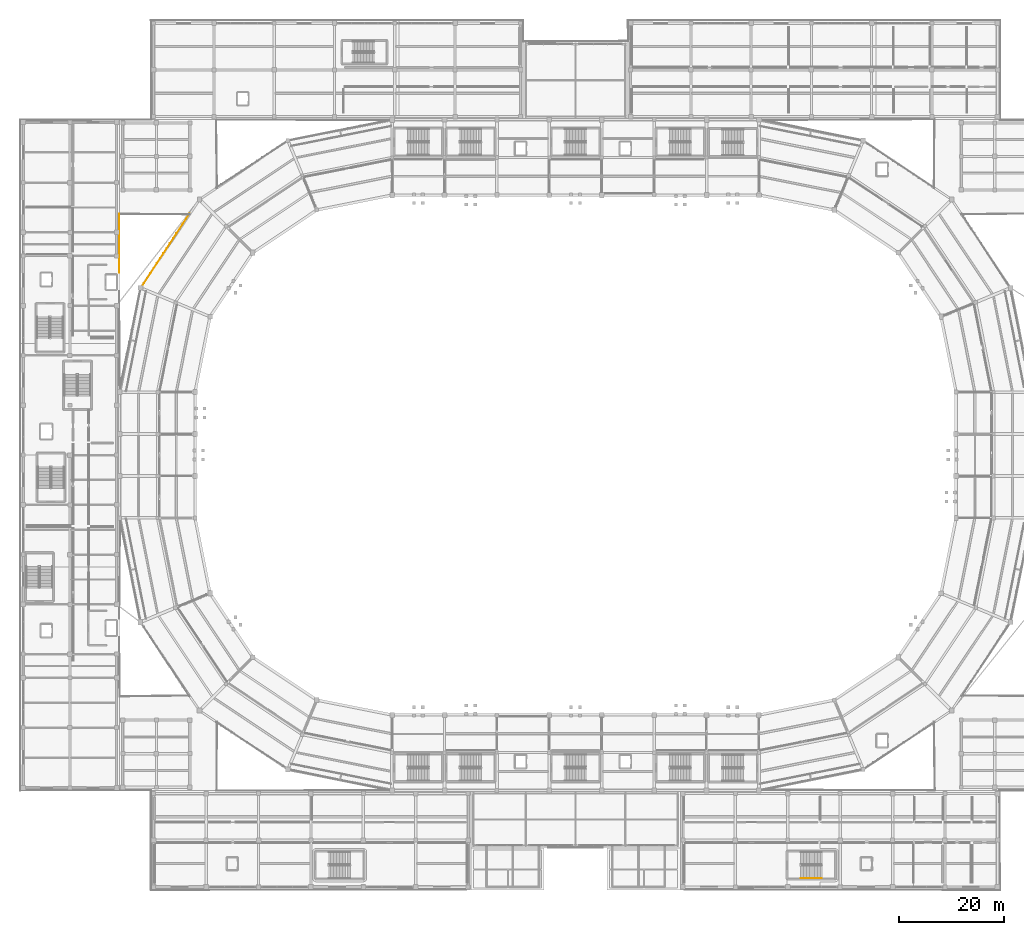
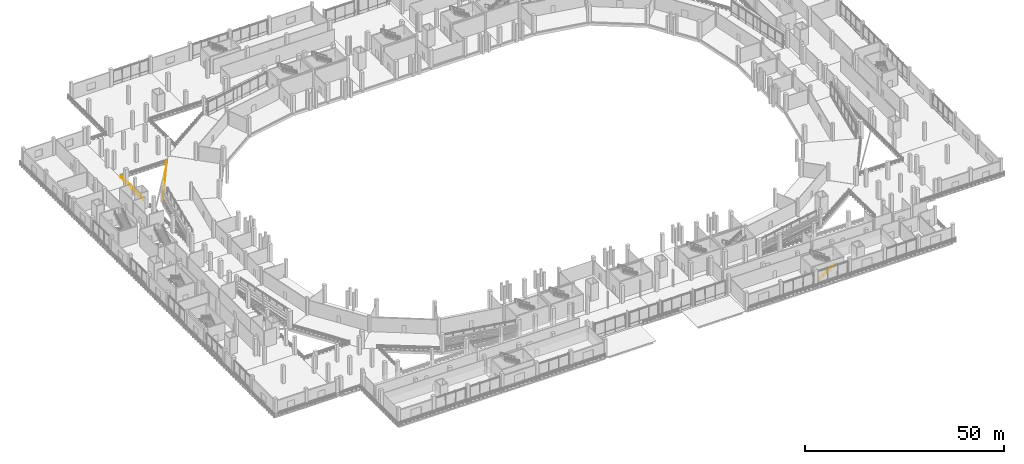
# One storey, part 100 of 114: 3 railings.
"""IFC4 building model written with IfcOpenShell, lengths in metres."""

import ifcopenshell
import ifcopenshell.guid

model = None  # the IFC model being written
_history = None  # IfcOwnerHistory: only IFC2X3 demands one
_inside = {}  # id of a spatial element -> (the spatial element, [elements in it])
_under = {}  # id of a project, library or spatial element -> (it, [spatial elements below it])
_declared = {}  # id of a project -> (the project, [libraries it declares])
_typed = {}  # id of a type object -> (the type object, [elements of that type])
_made_of = {}  # id of a material, layer set ... -> (it, [elements and type objects made of it])


def new_model(schema):
    """Start an empty IFC model of exactly this schema.

    Asked for "IFC4X3", IfcOpenShell would pick the latest addendum, in which some entities
    have other attributes; the version numbers below select the first issue.
    IFC2X3 requires an IfcOwnerHistory on every rooted entity: one is made here for all.
    """
    global model, _history
    if schema == "IFC4X3":
        model = ifcopenshell.file(schema_version=(4, 3, 0, 0))
    else:
        model = ifcopenshell.file(schema=schema)
    _inside.clear()
    _under.clear()
    _declared.clear()
    _typed.clear()
    _made_of.clear()
    _history = None
    if model.schema == "IFC2X3":
        org = make("IfcOrganization", Name="unknown")
        user = make(
            "IfcPersonAndOrganization",
            ThePerson=make("IfcPerson", FamilyName="unknown"),
            TheOrganization=org,
        )
        app = make(
            "IfcApplication",
            ApplicationDeveloper=org,
            Version="unknown",
            ApplicationFullName="unknown",
            ApplicationIdentifier="unknown",
        )
        _history = make(
            "IfcOwnerHistory",
            OwningUser=user,
            OwningApplication=app,
            ChangeAction="ADDED",
            CreationDate=0,
        )
    return model


def make(cls, **values):
    """One entity of the class cls with the attributes given. An attribute that is None is left unset."""
    return model.create_entity(
        cls, **{name: value for name, value in values.items() if value is not None}
    )


def rooted(cls, **values):
    """An entity with a GlobalId (a new one), such as an element, a storey or a relation."""
    return make(cls, GlobalId=ifcopenshell.guid.new(), OwnerHistory=_history, **values)


def si_unit(unit_type, name, prefix=None):
    """IfcSIUnit, for example si_unit("LENGTHUNIT", "METRE", prefix="MILLI")."""
    return make("IfcSIUnit", UnitType=unit_type, Prefix=prefix, Name=name)


def assignment(units):
    """IfcUnitAssignment: the units of a project."""
    return None if units is None else make("IfcUnitAssignment", Units=units)


def point(xyz):
    """IfcCartesianPoint."""
    return None if xyz is None else make("IfcCartesianPoint", Coordinates=xyz)


def direction(xyz):
    """IfcDirection."""
    return None if xyz is None else make("IfcDirection", DirectionRatios=xyz)


def frame(location, z_axis=None, x_axis=None):
    """IfcAxis2Placement3D, a coordinate frame: its origin and axes. An axis left out is left unset."""
    return make(
        "IfcAxis2Placement3D",
        Location=point(location),
        Axis=direction(z_axis),
        RefDirection=direction(x_axis),
    )


def frame_2d(location, x_axis=None):
    """IfcAxis2Placement2D, a coordinate frame in the plane: its origin and x axis."""
    return make(
        "IfcAxis2Placement2D", Location=point(location), RefDirection=direction(x_axis)
    )


def origin():
    """The frame at (0, 0, 0) with its axes left unset."""
    return frame((0.0, 0.0, 0.0))


def origin_2d():
    """The frame at (0, 0) in the plane with its x axis left unset."""
    return frame_2d((0.0, 0.0))


def place(relative_to, where):
    """IfcLocalPlacement: puts the frame where relative to a parent placement (None: the world)."""
    return make(
        "IfcLocalPlacement", PlacementRelTo=relative_to, RelativePlacement=where
    )


def context(
    kind, dimensions, precision=None, world=None, true_north=None, identifier=None
):
    """IfcGeometricRepresentationContext, for example the 3D "Model" context."""
    return make(
        "IfcGeometricRepresentationContext",
        ContextIdentifier=identifier,
        ContextType=kind,
        CoordinateSpaceDimension=dimensions,
        Precision=precision,
        WorldCoordinateSystem=world,
        TrueNorth=true_north,
    )


def subcontext(parent, identifier, kind, view, scale=None):
    """IfcGeometricRepresentationSubContext, for example "Body" below "Model"."""
    return make(
        "IfcGeometricRepresentationSubContext",
        ContextIdentifier=identifier,
        ContextType=kind,
        ParentContext=parent,
        TargetScale=scale,
        TargetView=view,
    )


def project(units=None, contexts=None):
    """IfcProject with its units and contexts."""
    return rooted(
        "IfcProject",
        Name="project",
        RepresentationContexts=contexts,
        UnitsInContext=assignment(units),
    )


def spatial(cls, under=None, at=None, **own):
    """A site, building, storey or space (cls), placed at a placement, below another one or the project."""
    s = rooted(cls, ObjectPlacement=at, **own)
    if under is not None:
        _under.setdefault(under.id(), (under, []))[1].append(s)
    return s


def profile(cls, at=None, kind="AREA", **sizes):
    """A parametric profile (cls). Its sizes go by their IFC names, for example OverallWidth=200.0."""
    return make(cls, ProfileType=kind, Position=at, **sizes)


def circle(**sizes):
    """IfcCircleProfileDef."""
    return profile("IfcCircleProfileDef", **sizes)


def extrude(swept, where, along, depth):
    """IfcExtrudedAreaSolid: the profile swept, set in the frame where, extruded along a direction by depth."""
    return make(
        "IfcExtrudedAreaSolid",
        SweptArea=swept,
        Position=where,
        ExtrudedDirection=direction(along),
        Depth=depth,
    )


def shape(context_of_items, identifier, shape_type, items):
    """IfcShapeRepresentation: the items that make up one representation, for example the "Body"."""
    return make(
        "IfcShapeRepresentation",
        ContextOfItems=context_of_items,
        RepresentationIdentifier=identifier,
        RepresentationType=shape_type,
        Items=items,
    )


def material(Name=None, Category=None):
    """IfcMaterial."""
    return make("IfcMaterial", Name=Name, Category=Category)


def layer(
    of_material, thickness, ventilated=None, Name=None, Category=None, Priority=None
):
    """IfcMaterialLayer: one layer of a wall or slab, of a material (None: an air gap)."""
    return make(
        "IfcMaterialLayer",
        Material=of_material,
        LayerThickness=thickness,
        IsVentilated=ventilated,
        Name=Name,
        Category=Category,
        Priority=Priority,
    )


def layer_set(layers, Name=None):
    """IfcMaterialLayerSet."""
    return make("IfcMaterialLayerSet", MaterialLayers=layers, LayerSetName=Name)


def made_of(thing, what):
    """Note that an element or type object is made of a material, layer set ...; save() writes the relation."""
    if what is not None:
        _made_of.setdefault(what.id(), (what, []))[1].append(thing)
    return thing


def type_object(cls, material=None, **own):
    """A type object (cls), such as IfcWallType, which elements share."""
    return made_of(rooted(cls, **own), material)


def element(
    cls,
    number,
    at=None,
    inside=None,
    cuts=None,
    type_object=None,
    material=None,
    context=None,
    identifier="Body",
    shape_type=None,
    held_by="IfcProductDefinitionShape",
    body=None,
    shapes=None,
    **own,
):
    """One element of the class cls, such as IfcWall. Its Tag is "e" and its number.

    at: its placement. inside: the storey or other place that contains it. cuts: it is an
    opening in that element (IfcRelVoidsElement). A single representation is given by context,
    identifier, shape_type and body (its items); several are given by shapes. held_by: the class
    of the entity that holds the representations. save() writes the other relations.
    """
    e = rooted(cls, Tag="e%d" % number, ObjectPlacement=at, **own)
    if body is not None:
        shapes = [shape(context, identifier, shape_type, body)]
    if shapes is not None:
        e.Representation = make(held_by, Representations=shapes)
    if inside is not None:
        _inside.setdefault(inside.id(), (inside, []))[1].append(e)
    if cuts is not None:
        rooted(
            "IfcRelVoidsElement", RelatingBuildingElement=cuts, RelatedOpeningElement=e
        )
    if type_object is not None:
        _typed.setdefault(type_object.id(), (type_object, []))[1].append(e)
    return made_of(e, material)


def aggregate(whole, parts):
    """IfcRelAggregates: a whole, such as a stair, and the parts it consists of."""
    return rooted("IfcRelAggregates", RelatingObject=whole, RelatedObjects=parts)


def save(model, path):
    """Write the relations noted so far, then the file.

    IfcRelAggregates (storeys below a building ...), IfcRelContainedInSpatialStructure (elements
    in a storey), IfcRelDefinesByType, IfcRelAssociatesMaterial and IfcRelDeclares: one each for
    every whole, place, type object, material and project.
    """
    for whole, parts in _under.values():
        aggregate(whole, parts)
    for where, things in _inside.values():
        rooted(
            "IfcRelContainedInSpatialStructure",
            RelatedElements=things,
            RelatingStructure=where,
        )
    for kind, things in _typed.values():
        rooted("IfcRelDefinesByType", RelatedObjects=things, RelatingType=kind)
    for what, things in _made_of.values():
        rooted("IfcRelAssociatesMaterial", RelatedObjects=things, RelatingMaterial=what)
    for by, libraries in _declared.values():
        rooted("IfcRelDeclares", RelatingContext=by, RelatedDefinitions=libraries)
    model.write(path)


model = new_model("IFC4")

# Units and contexts
model_context = context("Model", 3, precision=1e-05, world=origin(), true_north=direction((0.0, 1.0)))
body_context = subcontext(model_context, "Body", "Model", "MODEL_VIEW")
ifc_project = project(units=[si_unit("LENGTHUNIT", "METRE"), si_unit("AREAUNIT", "SQUARE_METRE"), si_unit("VOLUMEUNIT", "CUBIC_METRE"), si_unit("PLANEANGLEUNIT", "RADIAN"), si_unit("MASSUNIT", "GRAM", prefix="KILO")], contexts=[model_context])

# Site, building, storey
site_placement = place(None, origin())
site = spatial("IfcSite", under=ifc_project, at=site_placement, CompositionType="ELEMENT")
building_placement = place(site_placement, origin())
building = spatial("IfcBuilding", under=site, at=building_placement, Name="Candeia Ridge Stadium", CompositionType="ELEMENT")
storey_placement = place(building_placement, frame((0.0, 0.0, 5.39990234375)))
storey = spatial("IfcBuildingStorey", under=building, at=storey_placement, Name="L01", CompositionType="ELEMENT", Elevation=5.39990234375)

# Railings
ifc_material_1 = material(Name="Galvanized Powder-Coated Steel", Category="steel")
ifc_layer_1 = layer(ifc_material_1, 0.074951171875, Name="Galvanized Powder-Coated Steel", Category="steel")
ifc_layer_set_1 = layer_set([ifc_layer_1], Name="Galvanized Powder-Coated Steel")
railing_type_1 = type_object("IfcRailingType", Name="Spectator Bowl Front Guardrail 1120", PredefinedType="GUARDRAIL", material=ifc_layer_set_1)
railing_1_placement = place(storey_placement, frame((18.919921875, 129.0, 0.0)))
element("IfcRailing", 1, at=railing_1_placement, inside=storey, type_object=railing_type_1, Name="Deck edge safety guardrail GR-DE-L01-0044", PredefinedType="GUARDRAIL", context=body_context, shape_type="SweptSolid", body=[
    extrude(circle(Radius=0.02392578125, at=origin_2d()), frame((0.0, 0.0, 1.09619140625), z_axis=(0.0, -1.0, 0.0), x_axis=(1.0, 0.0, 0.0)), (0.0, 0.0, 1.0), 11.215087890625),
    extrude(circle(Radius=0.02392578125, at=origin_2d()), frame((0.0, 0.0, 0.56005859375), z_axis=(0.0, -1.0, 0.0), x_axis=(1.0, 0.0, 0.0)), (0.0, 0.0, 1.0), 11.215087890625),
    extrude(circle(Radius=0.02099609375, at=origin_2d()), origin(), (0.0, 0.0, 1.0), 1.072021484375),
    extrude(circle(Radius=0.02099609375, at=origin_2d()), frame((0.0, -1.12158203125, 0.0)), (0.0, 0.0, 1.0), 1.072021484375),
    extrude(circle(Radius=0.02099609375, at=origin_2d()), frame((0.0, -2.242919921875, 0.0)), (0.0, 0.0, 1.0), 1.072021484375),
    extrude(circle(Radius=0.02099609375, at=origin_2d()), frame((0.0, -3.364501953125, 0.0)), (0.0, 0.0, 1.0), 1.072021484375),
    extrude(circle(Radius=0.02099609375, at=origin_2d()), frame((0.0, -4.486083984375, 0.0)), (0.0, 0.0, 1.0), 1.072021484375),
    extrude(circle(Radius=0.02099609375, at=origin_2d()), frame((0.0, -5.607421875, 0.0)), (0.0, 0.0, 1.0), 1.072021484375),
    extrude(circle(Radius=0.02099609375, at=origin_2d()), frame((0.0, -6.72900390625, 0.0)), (0.0, 0.0, 1.0), 1.072021484375),
    extrude(circle(Radius=0.02099609375, at=origin_2d()), frame((0.0, -7.8505859375, 0.0)), (0.0, 0.0, 1.0), 1.072021484375),
    extrude(circle(Radius=0.02099609375, at=origin_2d()), frame((0.0, -8.97216796875, 0.0)), (0.0, 0.0, 1.0), 1.072021484375),
    extrude(circle(Radius=0.02099609375, at=origin_2d()), frame((0.0, -10.093505859375, 0.0)), (0.0, 0.0, 1.0), 1.072021484375),
    extrude(circle(Radius=0.02099609375, at=origin_2d()), frame((0.0, -11.215087890625, 0.0)), (0.0, 0.0, 1.0), 1.072021484375),
])
railing_2_placement = place(storey_placement, frame((23.02490234375, 114.85498046875, 0.0)))
element("IfcRailing", 2, at=railing_2_placement, inside=storey, type_object=railing_type_1, Name="Deck edge safety guardrail GR-DE-L01-0047", PredefinedType="GUARDRAIL", context=body_context, shape_type="SweptSolid", body=[
    extrude(circle(Radius=0.02392578125, at=origin_2d()), frame((0.0, 0.0, 1.09619140625), z_axis=(0.547697653631, 0.836676329417, 0.0), x_axis=(-0.836676329417, 0.547697653631, 0.0)), (0.0, 0.0, 1.0), 16.959228515625),
    extrude(circle(Radius=0.02392578125, at=origin_2d()), frame((0.0, 0.0, 0.56005859375), z_axis=(0.547697653631, 0.836676329417, 0.0), x_axis=(-0.836676329417, 0.547697653631, 0.0)), (0.0, 0.0, 1.0), 16.959228515625),
    extrude(circle(Radius=0.02099609375, at=origin_2d()), origin(), (0.0, 0.0, 1.0), 1.072021484375),
    extrude(circle(Radius=0.02099609375, at=origin_2d()), frame((0.619140625, 0.946044921875, 0.0)), (0.0, 0.0, 1.0), 1.072021484375),
    extrude(circle(Radius=0.02099609375, at=origin_2d()), frame((1.238525390625, 1.891845703125, 0.0)), (0.0, 0.0, 1.0), 1.072021484375),
    extrude(circle(Radius=0.02099609375, at=origin_2d()), frame((1.857666015625, 2.837890625, 0.0)), (0.0, 0.0, 1.0), 1.072021484375),
    extrude(circle(Radius=0.02099609375, at=origin_2d()), frame((2.47705078125, 3.783935546875, 0.0)), (0.0, 0.0, 1.0), 1.072021484375),
    extrude(circle(Radius=0.02099609375, at=origin_2d()), frame((3.09619140625, 4.729736328125, 0.0)), (0.0, 0.0, 1.0), 1.072021484375),
    extrude(circle(Radius=0.02099609375, at=origin_2d()), frame((3.71533203125, 5.67578125, 0.0)), (0.0, 0.0, 1.0), 1.072021484375),
    extrude(circle(Radius=0.02099609375, at=origin_2d()), frame((4.334716796875, 6.621826171875, 0.0)), (0.0, 0.0, 1.0), 1.072021484375),
    extrude(circle(Radius=0.02099609375, at=origin_2d()), frame((4.953857421875, 7.567626953125, 0.0)), (0.0, 0.0, 1.0), 1.072021484375),
    extrude(circle(Radius=0.02099609375, at=origin_2d()), frame((5.5732421875, 8.513671875, 0.0)), (0.0, 0.0, 1.0), 1.072021484375),
    extrude(circle(Radius=0.02099609375, at=origin_2d()), frame((6.1923828125, 9.459716796875, 0.0)), (0.0, 0.0, 1.0), 1.072021484375),
    extrude(circle(Radius=0.02099609375, at=origin_2d()), frame((6.8115234375, 10.405517578125, 0.0)), (0.0, 0.0, 1.0), 1.072021484375),
    extrude(circle(Radius=0.02099609375, at=origin_2d()), frame((7.430908203125, 11.3515625, 0.0)), (0.0, 0.0, 1.0), 1.072021484375),
    extrude(circle(Radius=0.02099609375, at=origin_2d()), frame((8.050048828125, 12.297607421875, 0.0)), (0.0, 0.0, 1.0), 1.072021484375),
    extrude(circle(Radius=0.02099609375, at=origin_2d()), frame((8.66943359375, 13.243408203125, 0.0)), (0.0, 0.0, 1.0), 1.072021484375),
    extrude(circle(Radius=0.02099609375, at=origin_2d()), frame((9.28857421875, 14.189453125, 0.0)), (0.0, 0.0, 1.0), 1.072021484375),
])
ifc_material_2 = material(Name="Brushed Stainless Steel", Category="steel")
ifc_layer_2 = layer(ifc_material_2, 0.048095703125, Name="Brushed Stainless Steel", Category="steel")
ifc_layer_set_2 = layer_set([ifc_layer_2], Name="Brushed Stainless Steel")
railing_type_2 = type_object("IfcRailingType", Name="Stair Wall & Flight Handrail 900", PredefinedType="HANDRAIL", material=ifc_layer_set_2)
railing_3_placement = place(storey_placement, frame((148.949951171875, 2.25, 0.18017578125)))
element("IfcRailing", 3, at=railing_3_placement, inside=storey, type_object=railing_type_2, Name="L01 ST14 stair handrail 1", PredefinedType="HANDRAIL", context=body_context, shape_type="SweptSolid", body=[
    extrude(circle(Radius=0.02392578125, at=origin_2d()), frame((0.0, 0.0, 0.8759765625), z_axis=(0.849641744969, 0.0, 0.527360318194), x_axis=(0.0, 1.0, 0.0)), (0.0, 0.0, 1.0), 4.778564453125),
    extrude(circle(Radius=0.02099609375, at=origin_2d()), origin(), (0.0, 0.0, 1.0), 0.851806640625),
    extrude(circle(Radius=0.02099609375, at=origin_2d()), frame((1.01513671875, 0.0, 0.6298828125)), (0.0, 0.0, 1.0), 0.851806640625),
    extrude(circle(Radius=0.02099609375, at=origin_2d()), frame((2.030029296875, 0.0, 1.260009765625)), (0.0, 0.0, 1.0), 0.851806640625),
    extrude(circle(Radius=0.02099609375, at=origin_2d()), frame((3.044921875, 0.0, 1.89013671875)), (0.0, 0.0, 1.0), 0.851806640625),
    extrude(circle(Radius=0.02099609375, at=origin_2d()), frame((4.06005859375, 0.0, 2.52001953125)), (0.0, 0.0, 1.0), 0.851806640625),
])

save(model, "model.ifc")
